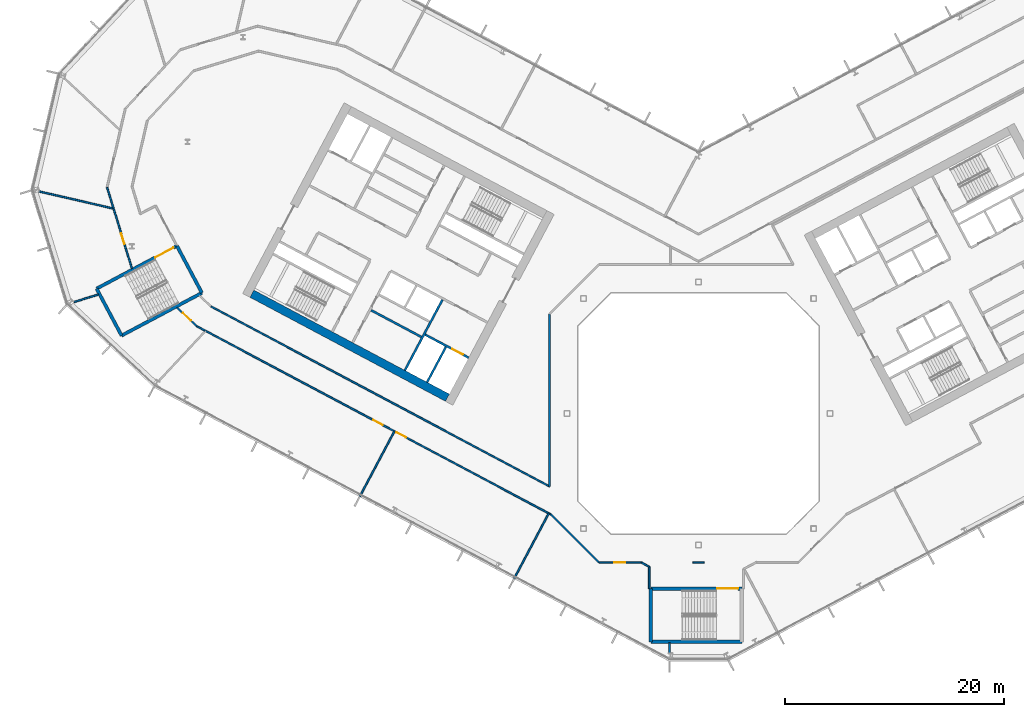
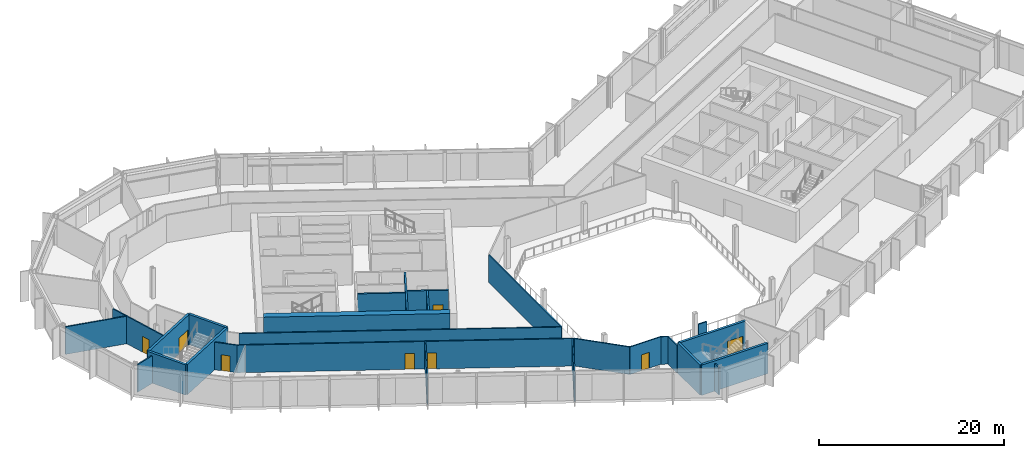
# One storey, part 13 of 28: 29 walls, 8 doors, 8 openings.
"""IFC4 building model written with IfcOpenShell, lengths in metres."""

from ifc_helpers import new_model, si_unit, direction, frame, frame_2d, origin, place, context, subcontext, project, spatial, rectangle, extrude, material, layer, layer_set, type_object, element, fill, save


model = new_model("IFC4")

# Units and contexts
model_context = context("Model", 3, precision=1e-05, world=origin(), true_north=direction((0.0, 1.0)))
body_context = subcontext(model_context, "Body", "Model", "MODEL_VIEW")
ifc_project = project(units=[si_unit("LENGTHUNIT", "METRE"), si_unit("AREAUNIT", "SQUARE_METRE"), si_unit("VOLUMEUNIT", "CUBIC_METRE"), si_unit("PLANEANGLEUNIT", "RADIAN"), si_unit("MASSUNIT", "GRAM", prefix="KILO")], contexts=[model_context])

# Site, building, storey
site_placement = place(None, origin())
site = spatial("IfcSite", under=ifc_project, at=site_placement, CompositionType="ELEMENT")
building_placement = place(site_placement, origin())
building = spatial("IfcBuilding", under=site, at=building_placement, Name="Cormorant Relay Tower", CompositionType="ELEMENT")
storey_placement = place(building_placement, frame((0.0, 0.0, 154.199951171875)))
storey = spatial("IfcBuildingStorey", under=building, at=storey_placement, Name="L32", CompositionType="ELEMENT", Elevation=154.199951171875)

# Walls
ifc_material_1 = material(Name="Concrete 40 MPa", Category="concrete")
ifc_layer_1 = layer(ifc_material_1, 0.199951171875)
ifc_layer_set_1 = layer_set([ifc_layer_1], Name="Core internal wall 200")
wall_type_1 = type_object("IfcWallType", Name="Core internal wall 200", PredefinedType="SOLIDWALL", material=ifc_layer_set_1)
wall_1_placement = place(storey_placement, frame((-25.279541015625, 6.985595703125, 0.0), z_axis=(0.0, 0.0, 1.0), x_axis=(-0.882934506056, 0.469496174655, 0.0)))
element("IfcWall", 1, at=wall_1_placement, inside=storey, type_object=wall_type_1, Name="L32 core A shaft and room wall", PredefinedType="SOLIDWALL", context=body_context, shape_type="SweptSolid", body=[
    extrude(rectangle(XDim=5.199951171875, YDim=0.199951171875, at=frame_2d((2.60009765625, 0.0))), origin(), (0.0, 0.0, 1.0), 4.0),
])
ifc_material_2 = material(Name="Concrete 50 MPa", Category="concrete")
ifc_layer_2 = layer(ifc_material_2, 0.199951171875)
ifc_layer_set_2 = layer_set([ifc_layer_2], Name="Core shaft wall 200")
wall_type_2 = type_object("IfcWallType", Name="Core shaft wall 200", PredefinedType="SHEAR", material=ifc_layer_set_2)
wall_2_placement = place(storey_placement, frame((-23.04296875, 6.07958984375, 0.0), z_axis=(0.0, 0.0, 1.0), x_axis=(-0.469494272526, -0.882935517501, 0.0)))
element("IfcWall", 2, at=wall_2_placement, inside=storey, type_object=wall_type_2, Name="L32 core A shaft wall", PredefinedType="SHEAR", context=body_context, shape_type="SweptSolid", body=[
    extrude(rectangle(XDim=3.64990234375, YDim=0.199951171875, at=frame_2d((1.824951171875, 0.0))), origin(), (0.0, 0.0, 1.0), 4.0),
])
wall_3_placement = place(storey_placement, frame((-23.360107421875, 10.38232421875, 0.0), z_axis=(0.0, 0.0, 1.0), x_axis=(-0.469480409012, -0.88294288918, 0.0)))
element("IfcWall", 3, at=wall_3_placement, inside=storey, type_object=wall_type_2, Name="L32 core A shaft wall", PredefinedType="SHEAR", context=body_context, shape_type="SweptSolid", body=[
    extrude(rectangle(XDim=7.300048828125, YDim=0.199951171875, at=frame_2d((3.64990234375, 0.0))), origin(), (0.0, 0.0, 1.0), 4.0),
])

# Wall, opening, door
wall_4_placement = place(storey_placement, frame((-20.96533203125, 5.088134765625, 0.0), z_axis=(0.0, 0.0, 1.0), x_axis=(-0.882925986334, 0.469512196493, 0.0)))
wall_4 = element("IfcWall", 4, at=wall_4_placement, inside=storey, type_object=wall_type_2, Name="L32 core A shaft wall", PredefinedType="SHEAR", context=body_context, shape_type="SweptSolid", body=[
    extrude(rectangle(XDim=4.5, YDim=0.199951171875, at=frame_2d((2.25, 0.0))), origin(), (0.0, 0.0, 1.0), 4.0),
])
opening_1_placement = place(wall_4_placement, frame((0.60009765625, 0.0, 0.0)))
opening_1 = element("IfcOpeningElement", 5, at=opening_1_placement, cuts=wall_4, Name="Opening LD1-043", PredefinedType="OPENING", context=body_context, shape_type="SweptSolid", body=[
    extrude(rectangle(XDim=1.10009765625, YDim=2.10009765625, at=frame_2d((0.550048828125, 1.050048828125))), frame((0.0, 0.10986328125, 0.0), z_axis=(0.0, -1.0, 0.0), x_axis=(1.0, 0.0, 0.0)), (0.0, 0.0, 1.0), 0.219970703125),
])
ifc_material_3 = material(Name="Stainless steel 316", Category="steel")
door_type_1 = type_object("IfcDoorType", Name="Lift landing door 1100x2100", OperationType="DOUBLE_DOOR_SLIDING", PredefinedType="DOOR", material=ifc_material_3)
door_1_placement = place(opening_1_placement, origin())
door_1 = element("IfcDoor", 6, at=door_1_placement, inside=storey, type_object=door_type_1, Name="FF1 landing door", OperationType="DOUBLE_DOOR_SLIDING", OverallHeight=2.10009765625, OverallWidth=1.10009765625, PredefinedType="DOOR", context=body_context, shape_type="SweptSolid", body=[
    extrude(rectangle(XDim=1.10009765625, YDim=2.10009765625, at=frame_2d((0.550048828125, 1.050048828125))), frame((0.0, 0.02490234375, 0.0), z_axis=(0.0, -1.0, 0.0), x_axis=(1.0, 0.0, 0.0)), (0.0, 0.0, 1.0), 0.050048828125),
])
fill(opening_1, door_1)

# Walls
ifc_material_4 = material(Name="Concrete 60 MPa", Category="concrete")
ifc_layer_3 = layer(ifc_material_4, 0.75)
ifc_layer_set_3 = layer_set([ifc_layer_3], Name="Core wall 750")
wall_type_3 = type_object("IfcWallType", Name="Core wall 750", PredefinedType="SHEAR", material=ifc_layer_set_3)
wall_5_placement = place(storey_placement, frame((-22.90185546875, 1.446044921875, 0.0), z_axis=(0.0, 0.0, 1.0), x_axis=(-0.88294509198, 0.469476266226, 0.0)))
element("IfcWall", 7, at=wall_5_placement, inside=storey, type_object=wall_type_3, Name="L32 core A wall", PredefinedType="SHEAR", context=body_context, shape_type="SweptSolid", body=[
    extrude(rectangle(XDim=20.199951171875, YDim=0.75, at=frame_2d((10.10009765625, 0.0))), origin(), (0.0, 0.0, 1.0), 4.0),
])
ifc_material_5 = material(Name="Gypsum board fire partition")
ifc_layer_4 = layer(ifc_material_5, 0.14990234375)
ifc_layer_set_4 = layer_set([ifc_layer_4], Name="Corridor partition 150 EI 60")
wall_type_4 = type_object("IfcWallType", Name="Corridor partition 150 EI 60", PredefinedType="PARTITIONING", material=ifc_layer_set_4)
wall_6_placement = place(storey_placement, frame((-53.943115234375, 20.6298828125, 0.0), z_axis=(0.0, 0.0, 1.0), x_axis=(0.292550297048, -0.956250136574, 0.0)))
element("IfcWall", 8, at=wall_6_placement, inside=storey, type_object=wall_type_4, Name="wall/L32/part/005", PredefinedType="PARTITIONING", context=body_context, shape_type="SweptSolid", body=[
    extrude(rectangle(XDim=2.000244140625, YDim=0.14990234375, at=frame_2d((1.0, 0.0))), origin(), (0.0, 0.0, 1.0), 3.64013671875),
])

# Wall, opening, door
wall_7_placement = place(storey_placement, frame((-51.677978515625, 13.221923828125, 0.0), z_axis=(0.0, 0.0, 1.0), x_axis=(-0.292356699481, 0.956309343397, 0.0)))
wall_7 = element("IfcWall", 9, at=wall_7_placement, inside=storey, type_object=wall_type_4, Name="wall/L32/part/006", PredefinedType="PARTITIONING", context=body_context, shape_type="SweptSolid", body=[
    extrude(rectangle(XDim=5.74609375, YDim=0.14990234375, at=frame_2d((2.873046875, 0.0))), origin(), (0.0, 0.0, 1.0), 3.64013671875),
])
opening_2_placement = place(wall_7_placement, frame((2.34912109375, 0.0, 0.0)))
opening_2 = element("IfcOpeningElement", 10, at=opening_2_placement, cuts=wall_7, Name="Opening DS-058", PredefinedType="OPENING", context=body_context, shape_type="SweptSolid", body=[
    extrude(rectangle(XDim=1.0, YDim=2.10009765625, at=frame_2d((0.5, 1.050048828125))), frame((0.0, 0.0849609375, 0.0), z_axis=(0.0, -1.0, 0.0), x_axis=(1.0, 0.0, 0.0)), (0.0, 0.0, 1.0), 0.169921875),
])
ifc_material_6 = material(Name="Timber door leaf", Category="wood")
door_type_2 = type_object("IfcDoorType", Name="Suite door 1000x2100", OperationType="SINGLE_SWING_LEFT", PredefinedType="DOOR", material=ifc_material_6)
door_2_placement = place(opening_2_placement, origin())
door_2 = element("IfcDoor", 11, at=door_2_placement, inside=storey, type_object=door_type_2, Name="door/L32/016", OperationType="SINGLE_SWING_LEFT", OverallHeight=2.10009765625, OverallWidth=1.0, PredefinedType="DOOR", context=body_context, shape_type="SweptSolid", body=[
    extrude(rectangle(XDim=1.0, YDim=2.10009765625, at=frame_2d((0.5, 1.050048828125))), frame((0.0, 0.02490234375, 0.0), z_axis=(0.0, -1.0, 0.0), x_axis=(1.0, 0.0, 0.0)), (0.0, 0.0, 1.0), 0.050048828125),
])
fill(opening_2, door_2)

# Wall
wall_8_placement = place(storey_placement, frame((-45.02001953125, 7.572021484375, 0.0), z_axis=(0.0, 0.0, 1.0), x_axis=(-0.88288015149, 0.46959837958, 0.0)))
element("IfcWall", 12, at=wall_8_placement, inside=storey, type_object=wall_type_4, Name="wall/L32/part/024", PredefinedType="PARTITIONING", context=body_context, shape_type="SweptSolid", body=[
    extrude(rectangle(XDim=0.832275390625, YDim=0.14990234375, at=frame_2d((0.416015625, 0.0))), origin(), (0.0, 0.0, 1.0), 3.64013671875),
])

# Wall, opening, door
wall_9_placement = place(storey_placement, frame((-45.7548828125, 7.962890625, 0.0), z_axis=(0.0, 0.0, 1.0), x_axis=(-0.731175081237, 0.682189856695, 0.0)))
wall_9 = element("IfcWall", 13, at=wall_9_placement, inside=storey, type_object=wall_type_4, Name="wall/L32/part/025", PredefinedType="PARTITIONING", context=body_context, shape_type="SweptSolid", body=[
    extrude(rectangle(XDim=2.5068359375, YDim=0.14990234375, at=frame_2d((1.25341796875, 0.0))), origin(), (0.0, 0.0, 1.0), 3.64013671875),
])
opening_3_placement = place(wall_9_placement, frame((0.75, 0.0, 0.0)))
opening_3 = element("IfcOpeningElement", 14, at=opening_3_placement, cuts=wall_9, Name="Opening DS-059", PredefinedType="OPENING", context=body_context, shape_type="SweptSolid", body=[
    extrude(rectangle(XDim=1.0, YDim=2.10009765625, at=frame_2d((0.5, 1.050048828125))), frame((0.0, 0.0849609375, 0.0), z_axis=(0.0, -1.0, 0.0), x_axis=(1.0, 0.0, 0.0)), (0.0, 0.0, 1.0), 0.169921875),
])
door_3_placement = place(opening_3_placement, origin())
door_3 = element("IfcDoor", 15, at=door_3_placement, inside=storey, type_object=door_type_2, Name="door/L32/017", OperationType="SINGLE_SWING_RIGHT", OverallHeight=2.10009765625, OverallWidth=1.0, PredefinedType="DOOR", context=body_context, shape_type="SweptSolid", body=[
    extrude(rectangle(XDim=1.0, YDim=2.10009765625, at=frame_2d((0.5, 1.050048828125))), frame((0.0, 0.02490234375, 0.0), z_axis=(0.0, -1.0, 0.0), x_axis=(1.0, 0.0, 0.0)), (0.0, 0.0, 1.0), 0.050048828125),
])
fill(opening_3, door_3)

# Walls
wall_10_placement = place(storey_placement, frame((-13.60009765625, 9.076904296875, 0.0), z_axis=(0.0, 0.0, 1.0), x_axis=(0.0, -1.0, 0.0)))
element("IfcWall", 16, at=wall_10_placement, inside=storey, type_object=wall_type_4, Name="wall/L32/part/028", PredefinedType="PARTITIONING", context=body_context, shape_type="SweptSolid", body=[
    extrude(rectangle(XDim=15.719970703125, YDim=0.14990234375, at=frame_2d((7.85986328125, 0.0))), origin(), (0.0, 0.0, 1.0), 3.64013671875),
])
wall_11_placement = place(storey_placement, frame((-13.60009765625, -6.64306640625, 0.0), z_axis=(0.0, 0.0, 1.0), x_axis=(-0.882949199944, 0.469468540287, 0.0)))
element("IfcWall", 17, at=wall_11_placement, inside=storey, type_object=wall_type_4, Name="wall/L32/part/029", PredefinedType="PARTITIONING", context=body_context, shape_type="SweptSolid", body=[
    extrude(rectangle(XDim=34.958984375, YDim=0.14990234375, at=frame_2d((17.4794921875, 0.0))), origin(), (0.0, 0.0, 1.0), 3.64013671875),
])

# Wall, openings, doors
wall_12_placement = place(storey_placement, frame((-13.47705078125, -9.199951171875, 0.0), z_axis=(0.0, 0.0, 1.0), x_axis=(-0.882944359403, 0.469477643981, 0.0)))
wall_12 = element("IfcWall", 18, at=wall_12_placement, inside=storey, type_object=wall_type_4, Name="wall/L32/part/031", PredefinedType="PARTITIONING", context=body_context, shape_type="SweptSolid", body=[
    extrude(rectangle(XDim=35.724853515625, YDim=0.14990234375, at=frame_2d((17.8623046875, 0.0))), origin(), (0.0, 0.0, 1.0), 3.64013671875),
])
opening_4_placement = place(wall_12_placement, frame((17.35009765625, 0.0, 0.0)))
opening_4 = element("IfcOpeningElement", 19, at=opening_4_placement, cuts=wall_12, Name="Opening DS-060", PredefinedType="OPENING", context=body_context, shape_type="SweptSolid", body=[
    extrude(rectangle(XDim=1.0, YDim=2.10009765625, at=frame_2d((0.5, 1.050048828125))), frame((0.0, 0.0849609375, 0.0), z_axis=(0.0, -1.0, 0.0), x_axis=(1.0, 0.0, 0.0)), (0.0, 0.0, 1.0), 0.169921875),
])
opening_5_placement = place(wall_12_placement, frame((14.948974609375, 0.0, 0.0)))
opening_5 = element("IfcOpeningElement", 20, at=opening_5_placement, cuts=wall_12, Name="Opening DS-061", PredefinedType="OPENING", context=body_context, shape_type="SweptSolid", body=[
    extrude(rectangle(XDim=1.0, YDim=2.10009765625, at=frame_2d((0.5, 1.050048828125))), frame((0.0, 0.0849609375, 0.0), z_axis=(0.0, -1.0, 0.0), x_axis=(1.0, 0.0, 0.0)), (0.0, 0.0, 1.0), 0.169921875),
])
door_4_placement = place(opening_4_placement, origin())
door_4 = element("IfcDoor", 21, at=door_4_placement, inside=storey, type_object=door_type_2, Name="door/L32/018", OperationType="SINGLE_SWING_LEFT", OverallHeight=2.10009765625, OverallWidth=1.0, PredefinedType="DOOR", context=body_context, shape_type="SweptSolid", body=[
    extrude(rectangle(XDim=1.0, YDim=2.10009765625, at=frame_2d((0.5, 1.050048828125))), frame((0.0, 0.02490234375, 0.0), z_axis=(0.0, -1.0, 0.0), x_axis=(1.0, 0.0, 0.0)), (0.0, 0.0, 1.0), 0.050048828125),
])
fill(opening_4, door_4)
door_5_placement = place(opening_5_placement, origin())
door_5 = element("IfcDoor", 22, at=door_5_placement, inside=storey, type_object=door_type_2, Name="door/L32/019", OperationType="SINGLE_SWING_RIGHT", OverallHeight=2.10009765625, OverallWidth=1.0, PredefinedType="DOOR", context=body_context, shape_type="SweptSolid", body=[
    extrude(rectangle(XDim=1.0, YDim=2.10009765625, at=frame_2d((0.5, 1.050048828125))), frame((0.0, 0.02490234375, 0.0), z_axis=(0.0, -1.0, 0.0), x_axis=(1.0, 0.0, 0.0)), (0.0, 0.0, 1.0), 0.050048828125),
])
fill(opening_5, door_5)

# Wall, opening, door
wall_13_placement = place(storey_placement, frame((-5.15087890625, -13.60009765625, 0.0), z_axis=(0.0, 0.0, 1.0), x_axis=(-1.0, 0.0, 0.0)))
wall_13 = element("IfcWall", 23, at=wall_13_placement, inside=storey, type_object=wall_type_4, Name="wall/L32/part/045", PredefinedType="PARTITIONING", context=body_context, shape_type="SweptSolid", body=[
    extrude(rectangle(XDim=3.926025390625, YDim=0.14990234375, at=frame_2d((1.962890625, 0.0))), origin(), (0.0, 0.0, 1.0), 3.64013671875),
])
opening_6_placement = place(wall_13_placement, frame((1.5390625, 0.0, 0.0)))
opening_6 = element("IfcOpeningElement", 24, at=opening_6_placement, cuts=wall_13, Name="Opening DS-062", PredefinedType="OPENING", context=body_context, shape_type="SweptSolid", body=[
    extrude(rectangle(XDim=1.0, YDim=2.10009765625, at=frame_2d((0.5, 1.050048828125))), frame((0.0, 0.0849609375, 0.0), z_axis=(0.0, -1.0, 0.0), x_axis=(1.0, 0.0, 0.0)), (0.0, 0.0, 1.0), 0.169921875),
])
door_6_placement = place(opening_6_placement, origin())
door_6 = element("IfcDoor", 25, at=door_6_placement, inside=storey, type_object=door_type_2, Name="door/L32/020", OperationType="SINGLE_SWING_LEFT", OverallHeight=2.10009765625, OverallWidth=1.0, PredefinedType="DOOR", context=body_context, shape_type="SweptSolid", body=[
    extrude(rectangle(XDim=1.0, YDim=2.10009765625, at=frame_2d((0.5, 1.050048828125))), frame((0.0, 0.02490234375, 0.0), z_axis=(0.0, -1.0, 0.0), x_axis=(1.0, 0.0, 0.0)), (0.0, 0.0, 1.0), 0.050048828125),
])
fill(opening_6, door_6)

# Walls
wall_14_placement = place(storey_placement, frame((-9.076904296875, -13.60009765625, 0.0), z_axis=(0.0, 0.0, 1.0), x_axis=(-0.707106781187, 0.707106781187, 0.0)))
element("IfcWall", 26, at=wall_14_placement, inside=storey, type_object=wall_type_4, Name="wall/L32/part/046", PredefinedType="PARTITIONING", context=body_context, shape_type="SweptSolid", body=[
    extrude(rectangle(XDim=6.22265625, YDim=0.14990234375, at=frame_2d((3.111328125, 0.0))), origin(), (0.0, 0.0, 1.0), 3.64013671875),
])
wall_15_placement = place(storey_placement, frame((-4.5, -13.972900390625, 0.0), z_axis=(0.0, 0.0, 1.0), x_axis=(-0.882888665287, 0.469582372655, 0.0)))
element("IfcWall", 27, at=wall_15_placement, inside=storey, type_object=wall_type_4, Name="wall/L32/part/047", PredefinedType="PARTITIONING", context=body_context, shape_type="SweptSolid", body=[
    extrude(rectangle(XDim=0.7939453125, YDim=0.14990234375, at=frame_2d((0.39697265625, 0.0))), origin(), (0.0, 0.0, 1.0), 3.64013671875),
])
wall_16_placement = place(storey_placement, frame((-4.5, -13.972900390625, 0.0), z_axis=(0.0, 0.0, 1.0), x_axis=(0.0, -1.0, 0.0)))
element("IfcWall", 28, at=wall_16_placement, inside=storey, type_object=wall_type_4, Name="wall/L32/part/048", PredefinedType="PARTITIONING", context=body_context, shape_type="SweptSolid", body=[
    extrude(rectangle(XDim=2.002197265625, YDim=0.14990234375, at=frame_2d((1.0009765625, 0.0))), origin(), (0.0, 0.0, 1.0), 3.64013671875),
])
wall_17_placement = place(storey_placement, frame((0.514892578125, -13.60009765625, 0.0), z_axis=(0.0, 0.0, 1.0), x_axis=(-1.0, 0.0, 0.0)))
element("IfcWall", 29, at=wall_17_placement, inside=storey, type_object=wall_type_4, Name="wall/L32/part/084", PredefinedType="PARTITIONING", context=body_context, shape_type="SweptSolid", body=[
    extrude(rectangle(XDim=1.02978515625, YDim=0.14990234375, at=frame_2d((0.514892578125, 0.0))), origin(), (0.0, 0.0, 1.0), 3.64013671875),
])
ifc_material_7 = material(Name="Concrete 50 MPa", Category="concrete")
ifc_layer_5 = layer(ifc_material_7, 0.300048828125)
ifc_layer_set_5 = layer_set([ifc_layer_5], Name="Remote stair wall 300")
wall_type_5 = type_object("IfcWallType", Name="Remote stair wall 300", PredefinedType="SHEAR", material=ifc_layer_set_5)
wall_18_placement = place(storey_placement, frame((3.949951171875, -20.824951171875, 0.0), z_axis=(0.0, 0.0, 1.0), x_axis=(-1.0, 0.0, 0.0)))
element("IfcWall", 30, at=wall_18_placement, inside=storey, type_object=wall_type_5, Name="L32 exit stair RK1 wall", PredefinedType="SHEAR", context=body_context, shape_type="SweptSolid", body=[
    extrude(rectangle(XDim=8.300048828125, YDim=0.300048828125, at=frame_2d((4.14990234375, 0.0))), origin(), (0.0, 0.0, 1.0), 4.0),
])
wall_19_placement = place(storey_placement, frame((-4.35009765625, -20.824951171875, 0.0), z_axis=(0.0, 0.0, 1.0), x_axis=(0.0, 1.0, 0.0)))
element("IfcWall", 31, at=wall_19_placement, inside=storey, type_object=wall_type_5, Name="L32 exit stair RK1 wall", PredefinedType="SHEAR", context=body_context, shape_type="SweptSolid", body=[
    extrude(rectangle(XDim=4.849853515625, YDim=0.300048828125, at=frame_2d((2.4248046875, 0.0))), origin(), (0.0, 0.0, 1.0), 4.0),
])

# Wall, opening, door
wall_20_placement = place(storey_placement, frame((-4.35009765625, -15.97509765625, 0.0), z_axis=(0.0, 0.0, 1.0), x_axis=(1.0, 0.0, 0.0)))
wall_20 = element("IfcWall", 32, at=wall_20_placement, inside=storey, type_object=wall_type_5, Name="L32 exit stair RK1 wall", PredefinedType="SHEAR", context=body_context, shape_type="SweptSolid", body=[
    extrude(rectangle(XDim=8.300048828125, YDim=0.300048828125, at=frame_2d((4.14990234375, 0.0))), origin(), (0.0, 0.0, 1.0), 4.0),
])
opening_7_placement = place(wall_20_placement, frame((6.050048828125, 0.0, 0.0)))
opening_7 = element("IfcOpeningElement", 33, at=opening_7_placement, cuts=wall_20, Name="Opening CDE-012", PredefinedType="OPENING", context=body_context, shape_type="SweptSolid", body=[
    extrude(rectangle(XDim=1.89990234375, YDim=2.10009765625, at=frame_2d((0.949951171875, 1.050048828125))), frame((0.0, 0.159912109375, 0.0), z_axis=(0.0, -1.0, 0.0), x_axis=(1.0, 0.0, 0.0)), (0.0, 0.0, 1.0), 0.320068359375),
])
ifc_material_8 = material(Name="Steel fire door", Category="steel")
door_type_3 = type_object("IfcDoorType", Name="Remote stair door 1900x2100", OperationType="DOUBLE_DOOR_SINGLE_SWING", PredefinedType="DOOR", material=ifc_material_8)
door_7_placement = place(opening_7_placement, frame((1.89990234375, 0.0, 0.0), z_axis=(0.0, 0.0, 1.0), x_axis=(-1.0, 0.0, 0.0)))
door_7 = element("IfcDoor", 34, at=door_7_placement, inside=storey, type_object=door_type_3, Name="Exit stair RK1 door", OperationType="DOUBLE_DOOR_SINGLE_SWING", OverallHeight=2.10009765625, OverallWidth=1.89990234375, PredefinedType="DOOR", context=body_context, shape_type="SweptSolid", body=[
    extrude(rectangle(XDim=1.89990234375, YDim=2.10009765625, at=frame_2d((0.949951171875, 1.050048828125))), frame((0.0, 0.02490234375, 0.0), z_axis=(0.0, -1.0, 0.0), x_axis=(1.0, 0.0, 0.0)), (0.0, 0.0, 1.0), 0.050048828125),
])
fill(opening_7, door_7)

# Walls
wall_21_placement = place(storey_placement, frame((-47.57421875, 15.28955078125, 0.0), z_axis=(0.0, 0.0, 1.0), x_axis=(0.469443498566, -0.882962514297, 0.0)))
element("IfcWall", 35, at=wall_21_placement, inside=storey, type_object=wall_type_5, Name="L32 exit stair RP1 wall", PredefinedType="SHEAR", context=body_context, shape_type="SweptSolid", body=[
    extrude(rectangle(XDim=4.85009765625, YDim=0.300048828125, at=frame_2d((2.425048828125, 0.0))), origin(), (0.0, 0.0, 1.0), 4.0),
])
wall_22_placement = place(storey_placement, frame((-45.29736328125, 11.007080078125, 0.0), z_axis=(0.0, 0.0, 1.0), x_axis=(-0.882951519127, -0.469464178475, 0.0)))
element("IfcWall", 36, at=wall_22_placement, inside=storey, type_object=wall_type_5, Name="L32 exit stair RP1 wall", PredefinedType="SHEAR", context=body_context, shape_type="SweptSolid", body=[
    extrude(rectangle(XDim=8.2998046875, YDim=0.300048828125, at=frame_2d((4.14990234375, 0.0))), origin(), (0.0, 0.0, 1.0), 4.0),
])
wall_23_placement = place(storey_placement, frame((-52.625732421875, 7.110595703125, 0.0), z_axis=(0.0, 0.0, 1.0), x_axis=(-0.469464364128, 0.882951420416, 0.0)))
element("IfcWall", 37, at=wall_23_placement, inside=storey, type_object=wall_type_5, Name="L32 exit stair RP1 wall", PredefinedType="SHEAR", context=body_context, shape_type="SweptSolid", body=[
    extrude(rectangle(XDim=4.849853515625, YDim=0.300048828125, at=frame_2d((2.4248046875, 0.0))), origin(), (0.0, 0.0, 1.0), 4.0),
])

# Wall, opening, door
wall_24_placement = place(storey_placement, frame((-54.902587890625, 11.392822265625, 0.0), z_axis=(0.0, 0.0, 1.0), x_axis=(0.882939326045, 0.469487110071, 0.0)))
wall_24 = element("IfcWall", 38, at=wall_24_placement, inside=storey, type_object=wall_type_5, Name="L32 exit stair RP1 wall", PredefinedType="SHEAR", context=body_context, shape_type="SweptSolid", body=[
    extrude(rectangle(XDim=8.300048828125, YDim=0.300048828125, at=frame_2d((4.14990234375, 0.0))), origin(), (0.0, 0.0, 1.0), 4.0),
])
opening_8_placement = place(wall_24_placement, frame((6.050048828125, 0.0, 0.0)))
opening_8 = element("IfcOpeningElement", 39, at=opening_8_placement, cuts=wall_24, Name="Opening CDE-013", PredefinedType="OPENING", context=body_context, shape_type="SweptSolid", body=[
    extrude(rectangle(XDim=1.89990234375, YDim=2.10009765625, at=frame_2d((0.949951171875, 1.050048828125))), frame((0.0, 0.159912109375, 0.0), z_axis=(0.0, -1.0, 0.0), x_axis=(1.0, 0.0, 0.0)), (0.0, 0.0, 1.0), 0.320068359375),
])
door_8_placement = place(opening_8_placement, frame((1.89990234375, 0.0, 0.0), z_axis=(0.0, 0.0, 1.0), x_axis=(-1.0, 0.0, 0.0)))
door_8 = element("IfcDoor", 40, at=door_8_placement, inside=storey, type_object=door_type_3, Name="Exit stair RP1 door", OperationType="DOUBLE_DOOR_SINGLE_SWING", OverallHeight=2.10009765625, OverallWidth=1.89990234375, PredefinedType="DOOR", context=body_context, shape_type="SweptSolid", body=[
    extrude(rectangle(XDim=1.89990234375, YDim=2.10009765625, at=frame_2d((0.949951171875, 1.050048828125))), frame((0.0, 0.02490234375, 0.0), z_axis=(0.0, -1.0, 0.0), x_axis=(1.0, 0.0, 0.0)), (0.0, 0.0, 1.0), 0.050048828125),
])
fill(opening_8, door_8)

# Walls
ifc_material_9 = material(Name="Gypsum board partition")
ifc_layer_6 = layer(ifc_material_9, 0.14990234375)
ifc_layer_set_6 = layer_set([ifc_layer_6], Name="Tenant partition 150")
wall_type_6 = type_object("IfcWallType", Name="Tenant partition 150", PredefinedType="PARTITIONING", material=ifc_layer_set_6)
wall_25_placement = place(storey_placement, frame((-53.35009765625, 18.69189453125, 0.0), z_axis=(0.0, 0.0, 1.0), x_axis=(-0.974352209791, 0.225028378824, 0.0)))
element("IfcWall", 41, at=wall_25_placement, inside=storey, type_object=wall_type_6, Name="wall/L32/part/001", PredefinedType="PARTITIONING", context=body_context, shape_type="SweptSolid", body=[
    extrude(rectangle(XDim=6.968505859375, YDim=0.14990234375, at=frame_2d((3.484375, 0.0))), origin(), (0.0, 0.0, 1.0), 3.64013671875),
])
wall_26_placement = place(storey_placement, frame((-54.73193359375, 10.85693359375, 0.0), z_axis=(0.0, 0.0, 1.0), x_axis=(-0.956196980242, -0.292723991119, 0.0)))
element("IfcWall", 42, at=wall_26_placement, inside=storey, type_object=wall_type_6, Name="wall/L32/part/003", PredefinedType="PARTITIONING", context=body_context, shape_type="SweptSolid", body=[
    extrude(rectangle(XDim=2.343505859375, YDim=0.14990234375, at=frame_2d((1.171875, 0.0))), origin(), (0.0, 0.0, 1.0), 3.64013671875),
])
wall_27_placement = place(storey_placement, frame((-27.739013671875, -1.615966796875, 0.0), z_axis=(0.0, 0.0, 1.0), x_axis=(-0.469581783496, -0.882888978643, 0.0)))
element("IfcWall", 43, at=wall_27_placement, inside=storey, type_object=wall_type_6, Name="wall/L32/part/012", PredefinedType="PARTITIONING", context=body_context, shape_type="SweptSolid", body=[
    extrude(rectangle(XDim=6.75048828125, YDim=0.14990234375, at=frame_2d((3.375244140625, 0.0))), origin(), (0.0, 0.0, 1.0), 3.64013671875),
])
wall_28_placement = place(storey_placement, frame((-13.656982421875, -9.10400390625, 0.0), z_axis=(0.0, 0.0, 1.0), x_axis=(-0.469469006851, -0.882948951869, 0.0)))
element("IfcWall", 44, at=wall_28_placement, inside=storey, type_object=wall_type_6, Name="wall/L32/part/042", PredefinedType="PARTITIONING", context=body_context, shape_type="SweptSolid", body=[
    extrude(rectangle(XDim=6.75, YDim=0.14990234375, at=frame_2d((3.375, 0.0))), origin(), (0.0, 0.0, 1.0), 3.64013671875),
])
wall_29_placement = place(storey_placement, frame((-2.64892578125, -20.925048828125, 0.0), z_axis=(0.0, 0.0, 1.0), x_axis=(0.0, -1.0, 0.0)))
element("IfcWall", 45, at=wall_29_placement, inside=storey, type_object=wall_type_6, Name="wall/L32/part/049", PredefinedType="PARTITIONING", context=body_context, shape_type="SweptSolid", body=[
    extrude(rectangle(XDim=0.90283203125, YDim=0.14990234375, at=frame_2d((0.451416015625, 0.0))), origin(), (0.0, 0.0, 1.0), 3.64013671875),
])

save(model, "model.ifc")
